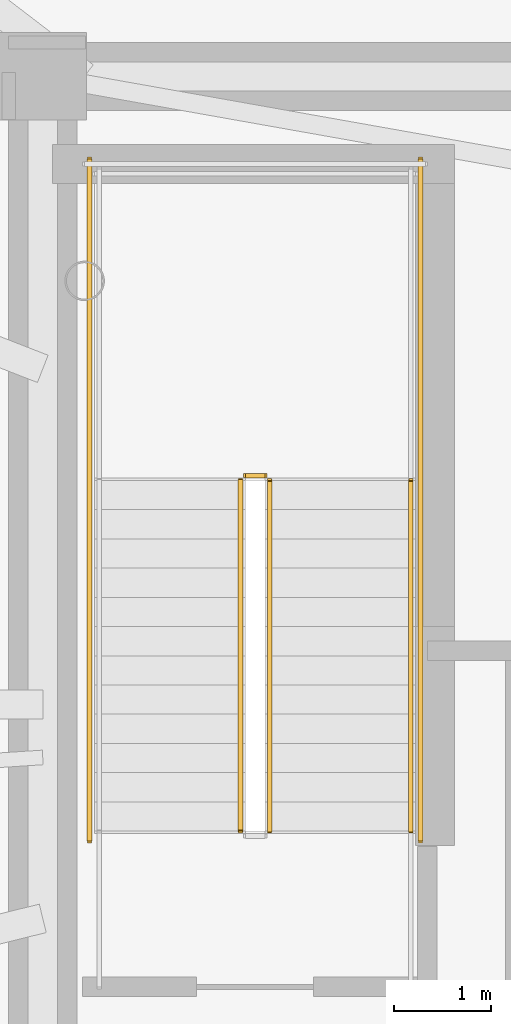
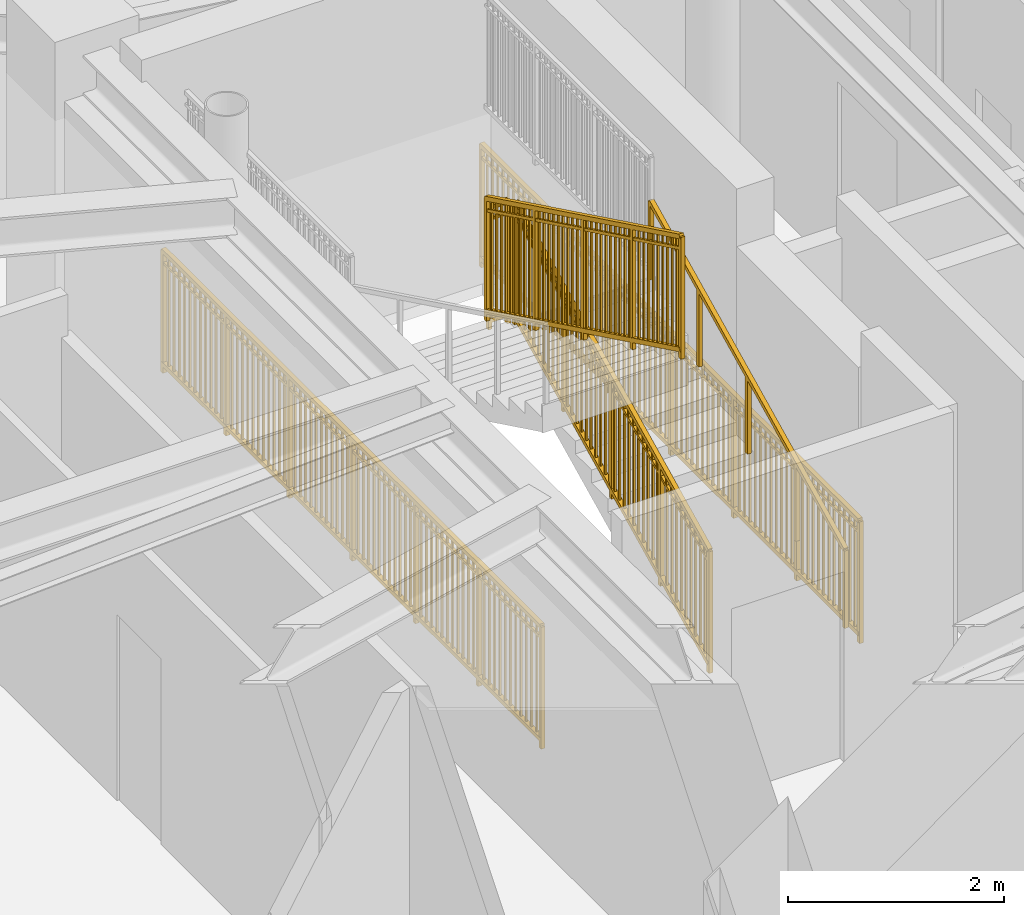
# One storey, part 15 of 17: 6 railings.
"""IFC4 building model written with IfcOpenShell, lengths in metres."""

from ifc_helpers import new_model, si_unit, direction, frame, origin, origin_2d, place, context, subcontext, project, spatial, rectangle, extrude, source, transform, mapped, material, type_object, element, save


model = new_model("IFC4")

# Units and contexts
model_context = context("Model", 3, precision=1e-05, world=origin(), true_north=direction((0.0, 1.0)))
body_context = subcontext(model_context, "Body", "Model", "MODEL_VIEW")
ifc_project = project(units=[si_unit("LENGTHUNIT", "METRE"), si_unit("AREAUNIT", "SQUARE_METRE"), si_unit("VOLUMEUNIT", "CUBIC_METRE"), si_unit("PLANEANGLEUNIT", "RADIAN"), si_unit("MASSUNIT", "GRAM", prefix="KILO")], contexts=[model_context])

# Site, building, storey
site_placement = place(None, origin())
site = spatial("IfcSite", under=ifc_project, at=site_placement, CompositionType="ELEMENT")
building_placement = place(site_placement, origin())
building = spatial("IfcBuilding", under=site, at=building_placement, Name="Linh Dai School and Residence Tower", CompositionType="ELEMENT")
storey_placement = place(building_placement, frame((0.0, 0.0, 331.60009765625)))
storey = spatial("IfcBuildingStorey", under=building, at=storey_placement, Name="L82", CompositionType="ELEMENT", Elevation=331.60009765625)

# Railings
ifc_material_1 = material(Name="Structural Steel S355JR", Category="steel")
railing_type_1 = type_object("IfcRailingType", Name="RL-ST-GUARD-1400", PredefinedType="GUARDRAIL", material=ifc_material_1)
shared_shape_1 = source(origin(), body_context, "Body", "SweptSolid", [
    extrude(rectangle(XDim=0.048095703125, YDim=0.048095703125, at=origin_2d()), frame((0.0, 0.0, 1.3759765625), z_axis=(-1.0, 0.0, 0.0), x_axis=(0.0, -1.0, 0.0)), (0.0, 0.0, 1.0), 0.199951171875),
    extrude(rectangle(XDim=0.048095703125, YDim=0.048095703125, at=origin_2d()), frame((0.0, 0.0, 0.10009765625), z_axis=(-1.0, 0.0, 0.0), x_axis=(0.0, -1.0, 0.0)), (0.0, 0.0, 1.0), 0.199951171875),
    extrude(rectangle(XDim=0.030029296875, YDim=0.030029296875, at=origin_2d()), frame((0.0, 0.0, 1.239990234375), z_axis=(-1.0, 0.0, 0.0), x_axis=(0.0, -1.0, 0.0)), (0.0, 0.0, 1.0), 0.199951171875),
    extrude(rectangle(XDim=0.0419921875, YDim=0.0419921875, at=origin_2d()), origin(), (0.0, 0.0, 1.0), 1.3759765625),
    extrude(rectangle(XDim=0.0419921875, YDim=0.0419921875, at=origin_2d()), frame((-0.199951171875, 0.0, 0.0)), (0.0, 0.0, 1.0), 1.3759765625),
])
railing_1_placement = place(storey_placement, frame((29.429931640625, 29.35009765625, 1.89990234375)))
element("IfcRailing", 1, at=railing_1_placement, inside=storey, type_object=railing_type_1, Name="L82 ST1 stair guard 2", PredefinedType="GUARDRAIL", context=body_context, shape_type="MappedRepresentation", body=[
    mapped(shared_shape_1, transform((0.0, 0.0, 0.0), x_axis=(1.0, 0.0, 0.0), y_axis=(0.0, 1.0, 0.0), z_axis=(0.0, 0.0, 1.0), scale=1.0)),
])
shared_shape_2 = source(origin(), body_context, "Body", "SweptSolid", [
    extrude(rectangle(XDim=0.048095703125, YDim=0.048095703125, at=origin_2d()), frame((0.0, 0.0, 1.3759765625), z_axis=(0.0, 1.0, 0.0), x_axis=(-1.0, 0.0, 0.0)), (0.0, 0.0, 1.0), 7.0),
    extrude(rectangle(XDim=0.048095703125, YDim=0.048095703125, at=origin_2d()), frame((0.0, 0.0, 0.10009765625), z_axis=(0.0, 1.0, 0.0), x_axis=(-1.0, 0.0, 0.0)), (0.0, 0.0, 1.0), 7.0),
    extrude(rectangle(XDim=0.030029296875, YDim=0.030029296875, at=origin_2d()), frame((0.0, 0.0, 1.239990234375), z_axis=(0.0, 1.0, 0.0), x_axis=(-1.0, 0.0, 0.0)), (0.0, 0.0, 1.0), 7.0),
    extrude(rectangle(XDim=0.02001953125, YDim=0.02001953125, at=origin_2d()), frame((0.0, 0.09716796875, 0.10009765625)), (0.0, 0.0, 1.0), 1.251708984375),
    extrude(rectangle(XDim=0.02001953125, YDim=0.02001953125, at=origin_2d()), frame((0.0, 0.1943359375, 0.10009765625)), (0.0, 0.0, 1.0), 1.251708984375),
    extrude(rectangle(XDim=0.02001953125, YDim=0.02001953125, at=origin_2d()), frame((0.0, 0.291748046875, 0.10009765625)), (0.0, 0.0, 1.0), 1.251708984375),
    extrude(rectangle(XDim=0.02001953125, YDim=0.02001953125, at=origin_2d()), frame((0.0, 0.388916015625, 0.10009765625)), (0.0, 0.0, 1.0), 1.251708984375),
    extrude(rectangle(XDim=0.02001953125, YDim=0.02001953125, at=origin_2d()), frame((0.0, 0.486083984375, 0.10009765625)), (0.0, 0.0, 1.0), 1.251708984375),
    extrude(rectangle(XDim=0.02001953125, YDim=0.02001953125, at=origin_2d()), frame((0.0, 0.583251953125, 0.10009765625)), (0.0, 0.0, 1.0), 1.251708984375),
    extrude(rectangle(XDim=0.02001953125, YDim=0.02001953125, at=origin_2d()), frame((0.0, 0.6806640625, 0.10009765625)), (0.0, 0.0, 1.0), 1.251708984375),
    extrude(rectangle(XDim=0.02001953125, YDim=0.02001953125, at=origin_2d()), frame((0.0, 0.77783203125, 0.10009765625)), (0.0, 0.0, 1.0), 1.251708984375),
    extrude(rectangle(XDim=0.02001953125, YDim=0.02001953125, at=origin_2d()), frame((0.0, 0.875, 0.10009765625)), (0.0, 0.0, 1.0), 1.251708984375),
    extrude(rectangle(XDim=0.02001953125, YDim=0.02001953125, at=origin_2d()), frame((0.0, 0.97216796875, 0.10009765625)), (0.0, 0.0, 1.0), 1.251708984375),
    extrude(rectangle(XDim=0.02001953125, YDim=0.02001953125, at=origin_2d()), frame((0.0, 1.0693359375, 0.10009765625)), (0.0, 0.0, 1.0), 1.251708984375),
    extrude(rectangle(XDim=0.02001953125, YDim=0.02001953125, at=origin_2d()), frame((0.0, 1.263916015625, 0.10009765625)), (0.0, 0.0, 1.0), 1.251708984375),
    extrude(rectangle(XDim=0.02001953125, YDim=0.02001953125, at=origin_2d()), frame((0.0, 1.361083984375, 0.10009765625)), (0.0, 0.0, 1.0), 1.251708984375),
    extrude(rectangle(XDim=0.02001953125, YDim=0.02001953125, at=origin_2d()), frame((0.0, 1.458251953125, 0.10009765625)), (0.0, 0.0, 1.0), 1.251708984375),
    extrude(rectangle(XDim=0.02001953125, YDim=0.02001953125, at=origin_2d()), frame((0.0, 1.5556640625, 0.10009765625)), (0.0, 0.0, 1.0), 1.251708984375),
    extrude(rectangle(XDim=0.02001953125, YDim=0.02001953125, at=origin_2d()), frame((0.0, 1.65283203125, 0.10009765625)), (0.0, 0.0, 1.0), 1.251708984375),
    extrude(rectangle(XDim=0.02001953125, YDim=0.02001953125, at=origin_2d()), frame((0.0, 1.75, 0.10009765625)), (0.0, 0.0, 1.0), 1.251708984375),
    extrude(rectangle(XDim=0.02001953125, YDim=0.02001953125, at=origin_2d()), frame((0.0, 1.84716796875, 0.10009765625)), (0.0, 0.0, 1.0), 1.251708984375),
    extrude(rectangle(XDim=0.02001953125, YDim=0.02001953125, at=origin_2d()), frame((0.0, 1.9443359375, 0.10009765625)), (0.0, 0.0, 1.0), 1.251708984375),
    extrude(rectangle(XDim=0.02001953125, YDim=0.02001953125, at=origin_2d()), frame((0.0, 2.041748046875, 0.10009765625)), (0.0, 0.0, 1.0), 1.251708984375),
    extrude(rectangle(XDim=0.02001953125, YDim=0.02001953125, at=origin_2d()), frame((0.0, 2.138916015625, 0.10009765625)), (0.0, 0.0, 1.0), 1.251708984375),
    extrude(rectangle(XDim=0.02001953125, YDim=0.02001953125, at=origin_2d()), frame((0.0, 2.236083984375, 0.10009765625)), (0.0, 0.0, 1.0), 1.251708984375),
    extrude(rectangle(XDim=0.02001953125, YDim=0.02001953125, at=origin_2d()), frame((0.0, 2.4306640625, 0.10009765625)), (0.0, 0.0, 1.0), 1.251708984375),
    extrude(rectangle(XDim=0.02001953125, YDim=0.02001953125, at=origin_2d()), frame((0.0, 2.52783203125, 0.10009765625)), (0.0, 0.0, 1.0), 1.251708984375),
    extrude(rectangle(XDim=0.02001953125, YDim=0.02001953125, at=origin_2d()), frame((0.0, 2.625, 0.10009765625)), (0.0, 0.0, 1.0), 1.251708984375),
    extrude(rectangle(XDim=0.02001953125, YDim=0.02001953125, at=origin_2d()), frame((0.0, 2.72216796875, 0.10009765625)), (0.0, 0.0, 1.0), 1.251708984375),
    extrude(rectangle(XDim=0.02001953125, YDim=0.02001953125, at=origin_2d()), frame((0.0, 2.8193359375, 0.10009765625)), (0.0, 0.0, 1.0), 1.251708984375),
    extrude(rectangle(XDim=0.02001953125, YDim=0.02001953125, at=origin_2d()), frame((0.0, 2.916748046875, 0.10009765625)), (0.0, 0.0, 1.0), 1.251708984375),
    extrude(rectangle(XDim=0.02001953125, YDim=0.02001953125, at=origin_2d()), frame((0.0, 3.013916015625, 0.10009765625)), (0.0, 0.0, 1.0), 1.251708984375),
    extrude(rectangle(XDim=0.02001953125, YDim=0.02001953125, at=origin_2d()), frame((0.0, 3.111083984375, 0.10009765625)), (0.0, 0.0, 1.0), 1.251708984375),
    extrude(rectangle(XDim=0.02001953125, YDim=0.02001953125, at=origin_2d()), frame((0.0, 3.208251953125, 0.10009765625)), (0.0, 0.0, 1.0), 1.251708984375),
    extrude(rectangle(XDim=0.02001953125, YDim=0.02001953125, at=origin_2d()), frame((0.0, 3.3056640625, 0.10009765625)), (0.0, 0.0, 1.0), 1.251708984375),
    extrude(rectangle(XDim=0.02001953125, YDim=0.02001953125, at=origin_2d()), frame((0.0, 3.40283203125, 0.10009765625)), (0.0, 0.0, 1.0), 1.251708984375),
    extrude(rectangle(XDim=0.02001953125, YDim=0.02001953125, at=origin_2d()), frame((0.0, 3.59716796875, 0.10009765625)), (0.0, 0.0, 1.0), 1.251708984375),
    extrude(rectangle(XDim=0.02001953125, YDim=0.02001953125, at=origin_2d()), frame((0.0, 3.6943359375, 0.10009765625)), (0.0, 0.0, 1.0), 1.251708984375),
    extrude(rectangle(XDim=0.02001953125, YDim=0.02001953125, at=origin_2d()), frame((0.0, 3.791748046875, 0.10009765625)), (0.0, 0.0, 1.0), 1.251708984375),
    extrude(rectangle(XDim=0.02001953125, YDim=0.02001953125, at=origin_2d()), frame((0.0, 3.888916015625, 0.10009765625)), (0.0, 0.0, 1.0), 1.251708984375),
    extrude(rectangle(XDim=0.02001953125, YDim=0.02001953125, at=origin_2d()), frame((0.0, 3.986083984375, 0.10009765625)), (0.0, 0.0, 1.0), 1.251708984375),
    extrude(rectangle(XDim=0.02001953125, YDim=0.02001953125, at=origin_2d()), frame((0.0, 4.083251953125, 0.10009765625)), (0.0, 0.0, 1.0), 1.251708984375),
    extrude(rectangle(XDim=0.02001953125, YDim=0.02001953125, at=origin_2d()), frame((0.0, 4.1806640625, 0.10009765625)), (0.0, 0.0, 1.0), 1.251708984375),
    extrude(rectangle(XDim=0.02001953125, YDim=0.02001953125, at=origin_2d()), frame((0.0, 4.27783203125, 0.10009765625)), (0.0, 0.0, 1.0), 1.251708984375),
    extrude(rectangle(XDim=0.02001953125, YDim=0.02001953125, at=origin_2d()), frame((0.0, 4.375, 0.10009765625)), (0.0, 0.0, 1.0), 1.251708984375),
    extrude(rectangle(XDim=0.02001953125, YDim=0.02001953125, at=origin_2d()), frame((0.0, 4.47216796875, 0.10009765625)), (0.0, 0.0, 1.0), 1.251708984375),
    extrude(rectangle(XDim=0.02001953125, YDim=0.02001953125, at=origin_2d()), frame((0.0, 4.5693359375, 0.10009765625)), (0.0, 0.0, 1.0), 1.251708984375),
    extrude(rectangle(XDim=0.02001953125, YDim=0.02001953125, at=origin_2d()), frame((0.0, 4.763916015625, 0.10009765625)), (0.0, 0.0, 1.0), 1.251708984375),
    extrude(rectangle(XDim=0.02001953125, YDim=0.02001953125, at=origin_2d()), frame((0.0, 4.861083984375, 0.10009765625)), (0.0, 0.0, 1.0), 1.251708984375),
    extrude(rectangle(XDim=0.02001953125, YDim=0.02001953125, at=origin_2d()), frame((0.0, 4.958251953125, 0.10009765625)), (0.0, 0.0, 1.0), 1.251708984375),
    extrude(rectangle(XDim=0.02001953125, YDim=0.02001953125, at=origin_2d()), frame((0.0, 5.0556640625, 0.10009765625)), (0.0, 0.0, 1.0), 1.251708984375),
    extrude(rectangle(XDim=0.02001953125, YDim=0.02001953125, at=origin_2d()), frame((0.0, 5.15283203125, 0.10009765625)), (0.0, 0.0, 1.0), 1.251708984375),
    extrude(rectangle(XDim=0.02001953125, YDim=0.02001953125, at=origin_2d()), frame((0.0, 5.25, 0.10009765625)), (0.0, 0.0, 1.0), 1.251708984375),
    extrude(rectangle(XDim=0.02001953125, YDim=0.02001953125, at=origin_2d()), frame((0.0, 5.34716796875, 0.10009765625)), (0.0, 0.0, 1.0), 1.251708984375),
    extrude(rectangle(XDim=0.02001953125, YDim=0.02001953125, at=origin_2d()), frame((0.0, 5.4443359375, 0.10009765625)), (0.0, 0.0, 1.0), 1.251708984375),
    extrude(rectangle(XDim=0.02001953125, YDim=0.02001953125, at=origin_2d()), frame((0.0, 5.541748046875, 0.10009765625)), (0.0, 0.0, 1.0), 1.251708984375),
    extrude(rectangle(XDim=0.02001953125, YDim=0.02001953125, at=origin_2d()), frame((0.0, 5.638916015625, 0.10009765625)), (0.0, 0.0, 1.0), 1.251708984375),
    extrude(rectangle(XDim=0.02001953125, YDim=0.02001953125, at=origin_2d()), frame((0.0, 5.736083984375, 0.10009765625)), (0.0, 0.0, 1.0), 1.251708984375),
    extrude(rectangle(XDim=0.02001953125, YDim=0.02001953125, at=origin_2d()), frame((0.0, 5.9306640625, 0.10009765625)), (0.0, 0.0, 1.0), 1.251708984375),
    extrude(rectangle(XDim=0.02001953125, YDim=0.02001953125, at=origin_2d()), frame((0.0, 6.02783203125, 0.10009765625)), (0.0, 0.0, 1.0), 1.251708984375),
    extrude(rectangle(XDim=0.02001953125, YDim=0.02001953125, at=origin_2d()), frame((0.0, 6.125, 0.10009765625)), (0.0, 0.0, 1.0), 1.251708984375),
    extrude(rectangle(XDim=0.02001953125, YDim=0.02001953125, at=origin_2d()), frame((0.0, 6.22216796875, 0.10009765625)), (0.0, 0.0, 1.0), 1.251708984375),
    extrude(rectangle(XDim=0.02001953125, YDim=0.02001953125, at=origin_2d()), frame((0.0, 6.3193359375, 0.10009765625)), (0.0, 0.0, 1.0), 1.251708984375),
    extrude(rectangle(XDim=0.02001953125, YDim=0.02001953125, at=origin_2d()), frame((0.0, 6.416748046875, 0.10009765625)), (0.0, 0.0, 1.0), 1.251708984375),
    extrude(rectangle(XDim=0.02001953125, YDim=0.02001953125, at=origin_2d()), frame((0.0, 6.513916015625, 0.10009765625)), (0.0, 0.0, 1.0), 1.251708984375),
    extrude(rectangle(XDim=0.02001953125, YDim=0.02001953125, at=origin_2d()), frame((0.0, 6.611083984375, 0.10009765625)), (0.0, 0.0, 1.0), 1.251708984375),
    extrude(rectangle(XDim=0.02001953125, YDim=0.02001953125, at=origin_2d()), frame((0.0, 6.708251953125, 0.10009765625)), (0.0, 0.0, 1.0), 1.251708984375),
    extrude(rectangle(XDim=0.02001953125, YDim=0.02001953125, at=origin_2d()), frame((0.0, 6.8056640625, 0.10009765625)), (0.0, 0.0, 1.0), 1.251708984375),
    extrude(rectangle(XDim=0.02001953125, YDim=0.02001953125, at=origin_2d()), frame((0.0, 6.90283203125, 0.10009765625)), (0.0, 0.0, 1.0), 1.251708984375),
    extrude(rectangle(XDim=0.0419921875, YDim=0.0419921875, at=origin_2d()), origin(), (0.0, 0.0, 1.0), 1.3759765625),
    extrude(rectangle(XDim=0.0419921875, YDim=0.0419921875, at=origin_2d()), frame((0.0, 1.166748046875, 0.0)), (0.0, 0.0, 1.0), 1.3759765625),
    extrude(rectangle(XDim=0.0419921875, YDim=0.0419921875, at=origin_2d()), frame((0.0, 2.333251953125, 0.0)), (0.0, 0.0, 1.0), 1.3759765625),
    extrude(rectangle(XDim=0.0419921875, YDim=0.0419921875, at=origin_2d()), frame((0.0, 3.5, 0.0)), (0.0, 0.0, 1.0), 1.3759765625),
    extrude(rectangle(XDim=0.0419921875, YDim=0.0419921875, at=origin_2d()), frame((0.0, 4.666748046875, 0.0)), (0.0, 0.0, 1.0), 1.3759765625),
    extrude(rectangle(XDim=0.0419921875, YDim=0.0419921875, at=origin_2d()), frame((0.0, 5.833251953125, 0.0)), (0.0, 0.0, 1.0), 1.3759765625),
    extrude(rectangle(XDim=0.0419921875, YDim=0.0419921875, at=origin_2d()), frame((0.0, 7.0, 0.0)), (0.0, 0.0, 1.0), 1.3759765625),
])
for number, where, name in (
    (2, (31.030029296875, 25.60009765625, 0.0), "L82 ST1 stair guard 10"),
    (3, (27.6298828125, 25.60009765625, 0.0), "L82 ST1 stair guard 11"),
):
    element("IfcRailing", number, at=place(storey_placement, frame(where)), inside=storey, type_object=railing_type_1, Name=name, PredefinedType="GUARDRAIL", context=body_context, shape_type="MappedRepresentation", body=[
        mapped(shared_shape_2, transform((0.0, 0.0, 0.0), x_axis=(1.0, 0.0, 0.0), y_axis=(0.0, 1.0, 0.0), z_axis=(0.0, 0.0, 1.0), scale=1.0)),
    ])
shared_shape_3 = source(origin(), body_context, "Body", "SweptSolid", [
    extrude(rectangle(XDim=0.048095703125, YDim=0.048095703125, at=origin_2d()), frame((0.0, 0.0, 1.3759765625), z_axis=(0.0, 0.898988637874, 0.437971949985), x_axis=(-1.0, 0.0, 0.0)), (0.0, 0.0, 1.0), 4.004638671875),
    extrude(rectangle(XDim=0.048095703125, YDim=0.048095703125, at=origin_2d()), frame((0.0, 0.0, 0.10009765625), z_axis=(0.0, 0.898988637874, 0.437971949985), x_axis=(-1.0, 0.0, 0.0)), (0.0, 0.0, 1.0), 4.004638671875),
    extrude(rectangle(XDim=0.030029296875, YDim=0.030029296875, at=origin_2d()), frame((0.0, 0.0, 1.239990234375), z_axis=(0.0, 0.898988637874, 0.437971949985), x_axis=(-1.0, 0.0, 0.0)), (0.0, 0.0, 1.0), 4.004638671875),
    extrude(rectangle(XDim=0.02001953125, YDim=0.02001953125, at=origin_2d()), frame((0.0, 0.087890625, 0.142822265625)), (0.0, 0.0, 1.0), 1.251708984375),
    extrude(rectangle(XDim=0.02001953125, YDim=0.02001953125, at=origin_2d()), frame((0.0, 0.175537109375, 0.185546875)), (0.0, 0.0, 1.0), 1.251708984375),
    extrude(rectangle(XDim=0.02001953125, YDim=0.02001953125, at=origin_2d()), frame((0.0, 0.263427734375, 0.228515625)), (0.0, 0.0, 1.0), 1.251708984375),
    extrude(rectangle(XDim=0.02001953125, YDim=0.02001953125, at=origin_2d()), frame((0.0, 0.351318359375, 0.271240234375)), (0.0, 0.0, 1.0), 1.251708984375),
    extrude(rectangle(XDim=0.02001953125, YDim=0.02001953125, at=origin_2d()), frame((0.0, 0.43896484375, 0.31396484375)), (0.0, 0.0, 1.0), 1.251708984375),
    extrude(rectangle(XDim=0.02001953125, YDim=0.02001953125, at=origin_2d()), frame((0.0, 0.52685546875, 0.356689453125)), (0.0, 0.0, 1.0), 1.251708984375),
    extrude(rectangle(XDim=0.02001953125, YDim=0.02001953125, at=origin_2d()), frame((0.0, 0.61474609375, 0.399658203125)), (0.0, 0.0, 1.0), 1.251708984375),
    extrude(rectangle(XDim=0.02001953125, YDim=0.02001953125, at=origin_2d()), frame((0.0, 0.702392578125, 0.4423828125)), (0.0, 0.0, 1.0), 1.251708984375),
    extrude(rectangle(XDim=0.02001953125, YDim=0.02001953125, at=origin_2d()), frame((0.0, 0.790283203125, 0.485107421875)), (0.0, 0.0, 1.0), 1.251708984375),
    extrude(rectangle(XDim=0.02001953125, YDim=0.02001953125, at=origin_2d()), frame((0.0, 0.9658203125, 0.570556640625)), (0.0, 0.0, 1.0), 1.251708984375),
    extrude(rectangle(XDim=0.02001953125, YDim=0.02001953125, at=origin_2d()), frame((0.0, 1.0537109375, 0.613525390625)), (0.0, 0.0, 1.0), 1.251708984375),
    extrude(rectangle(XDim=0.02001953125, YDim=0.02001953125, at=origin_2d()), frame((0.0, 1.1416015625, 0.65625)), (0.0, 0.0, 1.0), 1.251708984375),
    extrude(rectangle(XDim=0.02001953125, YDim=0.02001953125, at=origin_2d()), frame((0.0, 1.229248046875, 0.698974609375)), (0.0, 0.0, 1.0), 1.251708984375),
    extrude(rectangle(XDim=0.02001953125, YDim=0.02001953125, at=origin_2d()), frame((0.0, 1.317138671875, 0.74169921875)), (0.0, 0.0, 1.0), 1.251708984375),
    extrude(rectangle(XDim=0.02001953125, YDim=0.02001953125, at=origin_2d()), frame((0.0, 1.405029296875, 0.78466796875)), (0.0, 0.0, 1.0), 1.251708984375),
    extrude(rectangle(XDim=0.02001953125, YDim=0.02001953125, at=origin_2d()), frame((0.0, 1.49267578125, 0.827392578125)), (0.0, 0.0, 1.0), 1.251708984375),
    extrude(rectangle(XDim=0.02001953125, YDim=0.02001953125, at=origin_2d()), frame((0.0, 1.58056640625, 0.8701171875)), (0.0, 0.0, 1.0), 1.251708984375),
    extrude(rectangle(XDim=0.02001953125, YDim=0.02001953125, at=origin_2d()), frame((0.0, 1.66845703125, 0.912841796875)), (0.0, 0.0, 1.0), 1.251708984375),
    extrude(rectangle(XDim=0.02001953125, YDim=0.02001953125, at=origin_2d()), frame((0.0, 1.756103515625, 0.95556640625)), (0.0, 0.0, 1.0), 1.251708984375),
    extrude(rectangle(XDim=0.02001953125, YDim=0.02001953125, at=origin_2d()), frame((0.0, 1.843994140625, 0.99853515625)), (0.0, 0.0, 1.0), 1.251708984375),
    extrude(rectangle(XDim=0.02001953125, YDim=0.02001953125, at=origin_2d()), frame((0.0, 1.931640625, 1.041259765625)), (0.0, 0.0, 1.0), 1.251708984375),
    extrude(rectangle(XDim=0.02001953125, YDim=0.02001953125, at=origin_2d()), frame((0.0, 2.01953125, 1.083984375)), (0.0, 0.0, 1.0), 1.251708984375),
    extrude(rectangle(XDim=0.02001953125, YDim=0.02001953125, at=origin_2d()), frame((0.0, 2.107421875, 1.126708984375)), (0.0, 0.0, 1.0), 1.251708984375),
    extrude(rectangle(XDim=0.02001953125, YDim=0.02001953125, at=origin_2d()), frame((0.0, 2.195068359375, 1.16943359375)), (0.0, 0.0, 1.0), 1.251708984375),
    extrude(rectangle(XDim=0.02001953125, YDim=0.02001953125, at=origin_2d()), frame((0.0, 2.282958984375, 1.21240234375)), (0.0, 0.0, 1.0), 1.251708984375),
    extrude(rectangle(XDim=0.02001953125, YDim=0.02001953125, at=origin_2d()), frame((0.0, 2.370849609375, 1.255126953125)), (0.0, 0.0, 1.0), 1.251708984375),
    extrude(rectangle(XDim=0.02001953125, YDim=0.02001953125, at=origin_2d()), frame((0.0, 2.45849609375, 1.2978515625)), (0.0, 0.0, 1.0), 1.251708984375),
    extrude(rectangle(XDim=0.02001953125, YDim=0.02001953125, at=origin_2d()), frame((0.0, 2.54638671875, 1.340576171875)), (0.0, 0.0, 1.0), 1.251708984375),
    extrude(rectangle(XDim=0.02001953125, YDim=0.02001953125, at=origin_2d()), frame((0.0, 2.63427734375, 1.383544921875)), (0.0, 0.0, 1.0), 1.251708984375),
    extrude(rectangle(XDim=0.02001953125, YDim=0.02001953125, at=origin_2d()), frame((0.0, 2.809814453125, 1.468994140625)), (0.0, 0.0, 1.0), 1.251708984375),
    extrude(rectangle(XDim=0.02001953125, YDim=0.02001953125, at=origin_2d()), frame((0.0, 2.897705078125, 1.51171875)), (0.0, 0.0, 1.0), 1.251708984375),
    extrude(rectangle(XDim=0.02001953125, YDim=0.02001953125, at=origin_2d()), frame((0.0, 2.9853515625, 1.554443359375)), (0.0, 0.0, 1.0), 1.251708984375),
    extrude(rectangle(XDim=0.02001953125, YDim=0.02001953125, at=origin_2d()), frame((0.0, 3.0732421875, 1.597412109375)), (0.0, 0.0, 1.0), 1.251708984375),
    extrude(rectangle(XDim=0.02001953125, YDim=0.02001953125, at=origin_2d()), frame((0.0, 3.1611328125, 1.64013671875)), (0.0, 0.0, 1.0), 1.251708984375),
    extrude(rectangle(XDim=0.02001953125, YDim=0.02001953125, at=origin_2d()), frame((0.0, 3.248779296875, 1.682861328125)), (0.0, 0.0, 1.0), 1.251708984375),
    extrude(rectangle(XDim=0.02001953125, YDim=0.02001953125, at=origin_2d()), frame((0.0, 3.336669921875, 1.7255859375)), (0.0, 0.0, 1.0), 1.251708984375),
    extrude(rectangle(XDim=0.02001953125, YDim=0.02001953125, at=origin_2d()), frame((0.0, 3.424560546875, 1.7685546875)), (0.0, 0.0, 1.0), 1.251708984375),
    extrude(rectangle(XDim=0.02001953125, YDim=0.02001953125, at=origin_2d()), frame((0.0, 3.51220703125, 1.811279296875)), (0.0, 0.0, 1.0), 1.251708984375),
    extrude(rectangle(XDim=0.0419921875, YDim=0.0419921875, at=origin_2d()), origin(), (0.0, 0.0, 1.0), 1.3759765625),
    extrude(rectangle(XDim=0.0419921875, YDim=0.0419921875, at=origin_2d()), frame((0.0, 0.89990234375, 0.4384765625)), (0.0, 0.0, 1.0), 1.3759765625),
    extrude(rectangle(XDim=0.0419921875, YDim=0.0419921875, at=origin_2d()), frame((0.0, 1.800048828125, 0.876953125)), (0.0, 0.0, 1.0), 1.3759765625),
    extrude(rectangle(XDim=0.0419921875, YDim=0.0419921875, at=origin_2d()), frame((0.0, 2.7001953125, 1.3154296875)), (0.0, 0.0, 1.0), 1.3759765625),
    extrude(rectangle(XDim=0.0419921875, YDim=0.0419921875, at=origin_2d()), frame((0.0, 3.60009765625, 1.75390625)), (0.0, 0.0, 1.0), 1.3759765625),
])
railing_2_placement = place(storey_placement, frame((29.47998046875, 25.699951171875, 0.14599609375)))
element("IfcRailing", 4, at=railing_2_placement, inside=storey, type_object=railing_type_1, Name="L82 ST1 stair guard 1", PredefinedType="GUARDRAIL", context=body_context, shape_type="MappedRepresentation", body=[
    mapped(shared_shape_3, transform((0.0, 0.0, 0.0), x_axis=(1.0, 0.0, 0.0), y_axis=(0.0, 1.0, 0.0), z_axis=(0.0, 0.0, 1.0), scale=1.0)),
])
ifc_material_2 = material(Name="Brushed Stainless Steel Handrail", Category="steel")
railing_type_2 = type_object("IfcRailingType", Name="RL-ST-HANDRAIL-900", PredefinedType="HANDRAIL", material=ifc_material_2)
shared_shape_4 = source(origin(), body_context, "Body", "SweptSolid", [
    extrude(rectangle(XDim=0.048095703125, YDim=0.048095703125, at=origin_2d()), frame((0.0, 0.0, 0.8759765625), z_axis=(0.0, 0.898988637874, 0.437971949985), x_axis=(-1.0, 0.0, 0.0)), (0.0, 0.0, 1.0), 4.004638671875),
    extrude(rectangle(XDim=0.0419921875, YDim=0.0419921875, at=origin_2d()), origin(), (0.0, 0.0, 1.0), 0.8759765625),
    extrude(rectangle(XDim=0.0419921875, YDim=0.0419921875, at=origin_2d()), frame((0.0, 0.89990234375, 0.4384765625)), (0.0, 0.0, 1.0), 0.8759765625),
    extrude(rectangle(XDim=0.0419921875, YDim=0.0419921875, at=origin_2d()), frame((0.0, 1.800048828125, 0.876953125)), (0.0, 0.0, 1.0), 0.8759765625),
    extrude(rectangle(XDim=0.0419921875, YDim=0.0419921875, at=origin_2d()), frame((0.0, 2.7001953125, 1.3154296875)), (0.0, 0.0, 1.0), 0.8759765625),
    extrude(rectangle(XDim=0.0419921875, YDim=0.0419921875, at=origin_2d()), frame((0.0, 3.60009765625, 1.75390625)), (0.0, 0.0, 1.0), 0.8759765625),
])
railing_3_placement = place(storey_placement, frame((30.929931640625, 25.699951171875, 0.14599609375)))
element("IfcRailing", 5, at=railing_3_placement, inside=storey, type_object=railing_type_2, Name="L82 ST1 stair handrail 1", PredefinedType="HANDRAIL", context=body_context, shape_type="MappedRepresentation", body=[
    mapped(shared_shape_4, transform((0.0, 0.0, 0.0), x_axis=(1.0, 0.0, 0.0), y_axis=(0.0, 1.0, 0.0), z_axis=(0.0, 0.0, 1.0), scale=1.0)),
])
shared_shape_5 = source(origin(), body_context, "Body", "SweptSolid", [
    extrude(rectangle(XDim=0.048095703125, YDim=0.048095703125, at=origin_2d()), frame((0.0, 0.0, 1.3759765625), z_axis=(0.0, -0.899012640991, 0.437922677352), x_axis=(1.0, 0.0, 0.0)), (0.0, 0.0, 1.0), 4.00439453125),
    extrude(rectangle(XDim=0.048095703125, YDim=0.048095703125, at=origin_2d()), frame((0.0, 0.0, 0.10009765625), z_axis=(0.0, -0.899012640991, 0.437922677352), x_axis=(1.0, 0.0, 0.0)), (0.0, 0.0, 1.0), 4.00439453125),
    extrude(rectangle(XDim=0.030029296875, YDim=0.030029296875, at=origin_2d()), frame((0.0, 0.0, 1.239990234375), z_axis=(0.0, -0.899012640991, 0.437922677352), x_axis=(1.0, 0.0, 0.0)), (0.0, 0.0, 1.0), 4.00439453125),
    extrude(rectangle(XDim=0.02001953125, YDim=0.02001953125, at=origin_2d()), frame((0.0, -0.087890625, 0.142822265625)), (0.0, 0.0, 1.0), 1.251708984375),
    extrude(rectangle(XDim=0.02001953125, YDim=0.02001953125, at=origin_2d()), frame((0.0, -0.175537109375, 0.185546875)), (0.0, 0.0, 1.0), 1.251708984375),
    extrude(rectangle(XDim=0.02001953125, YDim=0.02001953125, at=origin_2d()), frame((0.0, -0.263427734375, 0.228515625)), (0.0, 0.0, 1.0), 1.251708984375),
    extrude(rectangle(XDim=0.02001953125, YDim=0.02001953125, at=origin_2d()), frame((0.0, -0.351318359375, 0.271240234375)), (0.0, 0.0, 1.0), 1.251708984375),
    extrude(rectangle(XDim=0.02001953125, YDim=0.02001953125, at=origin_2d()), frame((0.0, -0.43896484375, 0.31396484375)), (0.0, 0.0, 1.0), 1.251708984375),
    extrude(rectangle(XDim=0.02001953125, YDim=0.02001953125, at=origin_2d()), frame((0.0, -0.52685546875, 0.356689453125)), (0.0, 0.0, 1.0), 1.251708984375),
    extrude(rectangle(XDim=0.02001953125, YDim=0.02001953125, at=origin_2d()), frame((0.0, -0.61474609375, 0.3994140625)), (0.0, 0.0, 1.0), 1.251708984375),
    extrude(rectangle(XDim=0.02001953125, YDim=0.02001953125, at=origin_2d()), frame((0.0, -0.702392578125, 0.4423828125)), (0.0, 0.0, 1.0), 1.251708984375),
    extrude(rectangle(XDim=0.02001953125, YDim=0.02001953125, at=origin_2d()), frame((0.0, -0.790283203125, 0.485107421875)), (0.0, 0.0, 1.0), 1.251708984375),
    extrude(rectangle(XDim=0.02001953125, YDim=0.02001953125, at=origin_2d()), frame((0.0, -0.9658203125, 0.570556640625)), (0.0, 0.0, 1.0), 1.251708984375),
    extrude(rectangle(XDim=0.02001953125, YDim=0.02001953125, at=origin_2d()), frame((0.0, -1.0537109375, 0.61328125)), (0.0, 0.0, 1.0), 1.251708984375),
    extrude(rectangle(XDim=0.02001953125, YDim=0.02001953125, at=origin_2d()), frame((0.0, -1.1416015625, 0.65625)), (0.0, 0.0, 1.0), 1.251708984375),
    extrude(rectangle(XDim=0.02001953125, YDim=0.02001953125, at=origin_2d()), frame((0.0, -1.229248046875, 0.698974609375)), (0.0, 0.0, 1.0), 1.251708984375),
    extrude(rectangle(XDim=0.02001953125, YDim=0.02001953125, at=origin_2d()), frame((0.0, -1.317138671875, 0.74169921875)), (0.0, 0.0, 1.0), 1.251708984375),
    extrude(rectangle(XDim=0.02001953125, YDim=0.02001953125, at=origin_2d()), frame((0.0, -1.405029296875, 0.784423828125)), (0.0, 0.0, 1.0), 1.251708984375),
    extrude(rectangle(XDim=0.02001953125, YDim=0.02001953125, at=origin_2d()), frame((0.0, -1.49267578125, 0.8271484375)), (0.0, 0.0, 1.0), 1.251708984375),
    extrude(rectangle(XDim=0.02001953125, YDim=0.02001953125, at=origin_2d()), frame((0.0, -1.58056640625, 0.8701171875)), (0.0, 0.0, 1.0), 1.251708984375),
    extrude(rectangle(XDim=0.02001953125, YDim=0.02001953125, at=origin_2d()), frame((0.0, -1.66845703125, 0.912841796875)), (0.0, 0.0, 1.0), 1.251708984375),
    extrude(rectangle(XDim=0.02001953125, YDim=0.02001953125, at=origin_2d()), frame((0.0, -1.756103515625, 0.95556640625)), (0.0, 0.0, 1.0), 1.251708984375),
    extrude(rectangle(XDim=0.02001953125, YDim=0.02001953125, at=origin_2d()), frame((0.0, -1.843994140625, 0.998291015625)), (0.0, 0.0, 1.0), 1.251708984375),
    extrude(rectangle(XDim=0.02001953125, YDim=0.02001953125, at=origin_2d()), frame((0.0, -1.931640625, 1.041015625)), (0.0, 0.0, 1.0), 1.251708984375),
    extrude(rectangle(XDim=0.02001953125, YDim=0.02001953125, at=origin_2d()), frame((0.0, -2.01953125, 1.083740234375)), (0.0, 0.0, 1.0), 1.251708984375),
    extrude(rectangle(XDim=0.02001953125, YDim=0.02001953125, at=origin_2d()), frame((0.0, -2.107421875, 1.126708984375)), (0.0, 0.0, 1.0), 1.251708984375),
    extrude(rectangle(XDim=0.02001953125, YDim=0.02001953125, at=origin_2d()), frame((0.0, -2.195068359375, 1.16943359375)), (0.0, 0.0, 1.0), 1.251708984375),
    extrude(rectangle(XDim=0.02001953125, YDim=0.02001953125, at=origin_2d()), frame((0.0, -2.282958984375, 1.212158203125)), (0.0, 0.0, 1.0), 1.251708984375),
    extrude(rectangle(XDim=0.02001953125, YDim=0.02001953125, at=origin_2d()), frame((0.0, -2.370849609375, 1.2548828125)), (0.0, 0.0, 1.0), 1.251708984375),
    extrude(rectangle(XDim=0.02001953125, YDim=0.02001953125, at=origin_2d()), frame((0.0, -2.45849609375, 1.297607421875)), (0.0, 0.0, 1.0), 1.251708984375),
    extrude(rectangle(XDim=0.02001953125, YDim=0.02001953125, at=origin_2d()), frame((0.0, -2.54638671875, 1.340576171875)), (0.0, 0.0, 1.0), 1.251708984375),
    extrude(rectangle(XDim=0.02001953125, YDim=0.02001953125, at=origin_2d()), frame((0.0, -2.63427734375, 1.38330078125)), (0.0, 0.0, 1.0), 1.251708984375),
    extrude(rectangle(XDim=0.02001953125, YDim=0.02001953125, at=origin_2d()), frame((0.0, -2.809814453125, 1.46875)), (0.0, 0.0, 1.0), 1.251708984375),
    extrude(rectangle(XDim=0.02001953125, YDim=0.02001953125, at=origin_2d()), frame((0.0, -2.897705078125, 1.511474609375)), (0.0, 0.0, 1.0), 1.251708984375),
    extrude(rectangle(XDim=0.02001953125, YDim=0.02001953125, at=origin_2d()), frame((0.0, -2.9853515625, 1.554443359375)), (0.0, 0.0, 1.0), 1.251708984375),
    extrude(rectangle(XDim=0.02001953125, YDim=0.02001953125, at=origin_2d()), frame((0.0, -3.0732421875, 1.59716796875)), (0.0, 0.0, 1.0), 1.251708984375),
    extrude(rectangle(XDim=0.02001953125, YDim=0.02001953125, at=origin_2d()), frame((0.0, -3.1611328125, 1.639892578125)), (0.0, 0.0, 1.0), 1.251708984375),
    extrude(rectangle(XDim=0.02001953125, YDim=0.02001953125, at=origin_2d()), frame((0.0, -3.248779296875, 1.6826171875)), (0.0, 0.0, 1.0), 1.251708984375),
    extrude(rectangle(XDim=0.02001953125, YDim=0.02001953125, at=origin_2d()), frame((0.0, -3.336669921875, 1.725341796875)), (0.0, 0.0, 1.0), 1.251708984375),
    extrude(rectangle(XDim=0.02001953125, YDim=0.02001953125, at=origin_2d()), frame((0.0, -3.424560546875, 1.768310546875)), (0.0, 0.0, 1.0), 1.251708984375),
    extrude(rectangle(XDim=0.02001953125, YDim=0.02001953125, at=origin_2d()), frame((0.0, -3.51220703125, 1.81103515625)), (0.0, 0.0, 1.0), 1.251708984375),
    extrude(rectangle(XDim=0.0419921875, YDim=0.0419921875, at=origin_2d()), origin(), (0.0, 0.0, 1.0), 1.3759765625),
    extrude(rectangle(XDim=0.0419921875, YDim=0.0419921875, at=origin_2d()), frame((0.0, -0.89990234375, 0.4384765625)), (0.0, 0.0, 1.0), 1.3759765625),
    extrude(rectangle(XDim=0.0419921875, YDim=0.0419921875, at=origin_2d()), frame((0.0, -1.800048828125, 0.876953125)), (0.0, 0.0, 1.0), 1.3759765625),
    extrude(rectangle(XDim=0.0419921875, YDim=0.0419921875, at=origin_2d()), frame((0.0, -2.7001953125, 1.315185546875)), (0.0, 0.0, 1.0), 1.3759765625),
    extrude(rectangle(XDim=0.0419921875, YDim=0.0419921875, at=origin_2d()), frame((0.0, -3.60009765625, 1.753662109375)), (0.0, 0.0, 1.0), 1.3759765625),
])
railing_4_placement = place(storey_placement, frame((29.179931640625, 29.300048828125, 2.046142578125)))
element("IfcRailing", 6, at=railing_4_placement, inside=storey, type_object=railing_type_1, Name="L82 ST1 stair guard 6", PredefinedType="GUARDRAIL", context=body_context, shape_type="MappedRepresentation", body=[
    mapped(shared_shape_5, transform((0.0, 0.0, 0.0), x_axis=(1.0, 0.0, 0.0), y_axis=(0.0, 1.0, 0.0), z_axis=(0.0, 0.0, 1.0), scale=1.0)),
])

save(model, "model.ifc")
